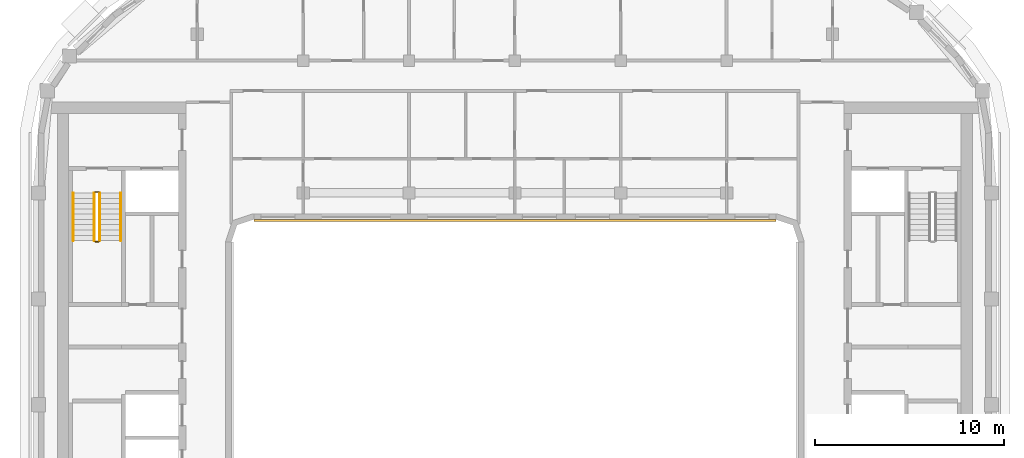
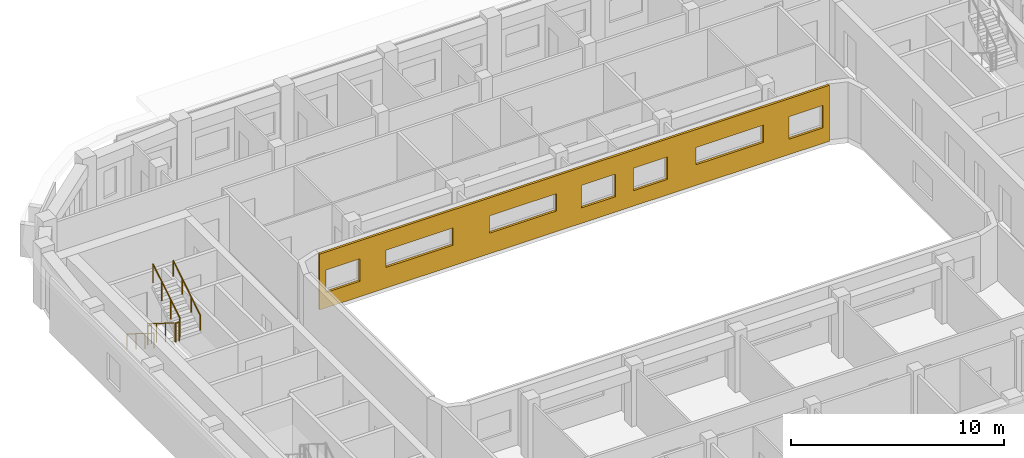
# One storey, part 12 of 16: 6 railings, 1 covering.
"""IFC4 building model written with IfcOpenShell, lengths in metres."""

from ifc_helpers import new_model, si_unit, direction, frame, origin, origin_2d, place, context, subcontext, project, spatial, polyline, circle, outline, extrude, material, layer, layer_set, type_object, element, save


model = new_model("IFC4")

# Units and contexts
model_context = context("Model", 3, precision=1e-05, world=origin(), true_north=direction((0.0, 1.0)))
body_context = subcontext(model_context, "Body", "Model", "MODEL_VIEW")
ifc_project = project(units=[si_unit("LENGTHUNIT", "METRE"), si_unit("AREAUNIT", "SQUARE_METRE"), si_unit("VOLUMEUNIT", "CUBIC_METRE"), si_unit("PLANEANGLEUNIT", "RADIAN"), si_unit("MASSUNIT", "GRAM", prefix="KILO")], contexts=[model_context])

# Site, building, storey
site_placement = place(None, origin())
site = spatial("IfcSite", under=ifc_project, at=site_placement, CompositionType="ELEMENT")
building_placement = place(site_placement, origin())
building = spatial("IfcBuilding", under=site, at=building_placement, Name="Kiln Ring Residences", CompositionType="ELEMENT")
storey_placement = place(building_placement, frame((0.0, 0.0, 276.699951171875)))
storey = spatial("IfcBuildingStorey", under=building, at=storey_placement, Name="L72", CompositionType="ELEMENT", Elevation=276.699951171875)

# Railings
ifc_material_1 = material(Name="Stainless steel", Category="steel")
railing_type_1 = type_object("IfcRailingType", Name="CORE-STAIR-GUARD", PredefinedType="GUARDRAIL", material=ifc_material_1)
railing_1_placement = place(storey_placement, frame((-22.25, 8.39990234375, 0.175048828125)))
element("IfcRailing", 1, at=railing_1_placement, inside=storey, type_object=railing_type_1, Name="L72 W-STN stair guard 1", PredefinedType="GUARDRAIL", context=body_context, shape_type="SweptSolid", body=[
    extrude(circle(Radius=0.02392578125, at=origin_2d()), frame((0.0, 0.0, 1.076171875), z_axis=(0.0, -0.848007534815, 0.529984170421), x_axis=(1.0, 0.0, 0.0)), (0.0, 0.0, 1.0), 2.9716796875),
    extrude(circle(Radius=0.02099609375, at=origin_2d()), origin(), (0.0, 0.0, 1.0), 1.052001953125),
    extrude(circle(Radius=0.02099609375, at=origin_2d()), frame((0.0, -0.840087890625, 0.52490234375)), (0.0, 0.0, 1.0), 1.052001953125),
    extrude(circle(Radius=0.02099609375, at=origin_2d()), frame((0.0, -1.679931640625, 1.050048828125)), (0.0, 0.0, 1.0), 1.052001953125),
    extrude(circle(Radius=0.02099609375, at=origin_2d()), frame((0.0, -2.52001953125, 1.574951171875)), (0.0, 0.0, 1.0), 1.052001953125),
])
railing_2_placement = place(storey_placement, frame((-22.199951171875, 5.830078125, 1.75)))
element("IfcRailing", 2, at=railing_2_placement, inside=storey, type_object=railing_type_1, Name="L72 W-STN stair guard 2", PredefinedType="GUARDRAIL", context=body_context, shape_type="SweptSolid", body=[
    extrude(circle(Radius=0.02392578125, at=origin_2d()), frame((0.0, 0.0, 1.076171875), z_axis=(1.0, 0.0, 0.0), x_axis=(0.0, 1.0, 0.0)), (0.0, 0.0, 1.0), 0.199951171875),
    extrude(circle(Radius=0.02099609375, at=origin_2d()), origin(), (0.0, 0.0, 1.0), 1.052001953125),
    extrude(circle(Radius=0.02099609375, at=origin_2d()), frame((0.199951171875, 0.0, 0.0)), (0.0, 0.0, 1.0), 1.052001953125),
])
railing_3_placement = place(storey_placement, frame((-21.949951171875, 5.8798828125, 1.925048828125)))
element("IfcRailing", 3, at=railing_3_placement, inside=storey, type_object=railing_type_1, Name="L72 W-STN stair guard 3", PredefinedType="GUARDRAIL", context=body_context, shape_type="SweptSolid", body=[
    extrude(circle(Radius=0.02392578125, at=origin_2d()), frame((0.0, 0.0, 1.076171875), z_axis=(0.0, 0.848007534815, 0.529984170421), x_axis=(-1.0, 0.0, 0.0)), (0.0, 0.0, 1.0), 2.9716796875),
    extrude(circle(Radius=0.02099609375, at=origin_2d()), origin(), (0.0, 0.0, 1.0), 1.052001953125),
    extrude(circle(Radius=0.02099609375, at=origin_2d()), frame((0.0, 0.840087890625, 0.52490234375)), (0.0, 0.0, 1.0), 1.052001953125),
    extrude(circle(Radius=0.02099609375, at=origin_2d()), frame((0.0, 1.679931640625, 1.050048828125)), (0.0, 0.0, 1.0), 1.052001953125),
    extrude(circle(Radius=0.02099609375, at=origin_2d()), frame((0.0, 2.52001953125, 1.574951171875)), (0.0, 0.0, 1.0), 1.052001953125),
])
railing_4_placement = place(storey_placement, frame((-22.199951171875, 8.449951171875, 0.0)))
element("IfcRailing", 4, at=railing_4_placement, inside=storey, type_object=railing_type_1, Name="L72 W-STN stair guard 4", PredefinedType="GUARDRAIL", context=body_context, shape_type="SweptSolid", body=[
    extrude(circle(Radius=0.02392578125, at=origin_2d()), frame((0.0, 0.0, 1.076171875), z_axis=(1.0, 0.0, 0.0), x_axis=(0.0, 1.0, 0.0)), (0.0, 0.0, 1.0), 0.199951171875),
    extrude(circle(Radius=0.02099609375, at=origin_2d()), origin(), (0.0, 0.0, 1.0), 1.052001953125),
    extrude(circle(Radius=0.02099609375, at=origin_2d()), frame((0.199951171875, 0.0, 0.0)), (0.0, 0.0, 1.0), 1.052001953125),
])
ifc_material_2 = material(Name="Stainless steel", Category="steel")
railing_type_2 = type_object("IfcRailingType", Name="CORE-STAIR-HANDRAIL", PredefinedType="HANDRAIL", material=ifc_material_2)
railing_5_placement = place(storey_placement, frame((-23.35009765625, 8.39990234375, 0.175048828125)))
element("IfcRailing", 5, at=railing_5_placement, inside=storey, type_object=railing_type_2, Name="L72 W-STN stair handrail 1", PredefinedType="HANDRAIL", context=body_context, shape_type="SweptSolid", body=[
    extrude(circle(Radius=0.02392578125, at=origin_2d()), frame((0.0, 0.0, 0.8759765625), z_axis=(0.0, -0.848007534815, 0.529984170421), x_axis=(1.0, 0.0, 0.0)), (0.0, 0.0, 1.0), 2.9716796875),
    extrude(circle(Radius=0.02099609375, at=origin_2d()), origin(), (0.0, 0.0, 1.0), 0.851806640625),
    extrude(circle(Radius=0.02099609375, at=origin_2d()), frame((0.0, -0.840087890625, 0.52490234375)), (0.0, 0.0, 1.0), 0.851806640625),
    extrude(circle(Radius=0.02099609375, at=origin_2d()), frame((0.0, -1.679931640625, 1.050048828125)), (0.0, 0.0, 1.0), 0.851806640625),
    extrude(circle(Radius=0.02099609375, at=origin_2d()), frame((0.0, -2.52001953125, 1.574951171875)), (0.0, 0.0, 1.0), 0.851806640625),
])
railing_6_placement = place(storey_placement, frame((-20.85009765625, 5.8798828125, 1.925048828125)))
element("IfcRailing", 6, at=railing_6_placement, inside=storey, type_object=railing_type_2, Name="L72 W-STN stair handrail 2", PredefinedType="HANDRAIL", context=body_context, shape_type="SweptSolid", body=[
    extrude(circle(Radius=0.02392578125, at=origin_2d()), frame((0.0, 0.0, 0.8759765625), z_axis=(0.0, 0.848007534815, 0.529984170421), x_axis=(-1.0, 0.0, 0.0)), (0.0, 0.0, 1.0), 2.9716796875),
    extrude(circle(Radius=0.02099609375, at=origin_2d()), origin(), (0.0, 0.0, 1.0), 0.851806640625),
    extrude(circle(Radius=0.02099609375, at=origin_2d()), frame((0.0, 0.840087890625, 0.52490234375)), (0.0, 0.0, 1.0), 0.851806640625),
    extrude(circle(Radius=0.02099609375, at=origin_2d()), frame((0.0, 1.679931640625, 1.050048828125)), (0.0, 0.0, 1.0), 0.851806640625),
    extrude(circle(Radius=0.02099609375, at=origin_2d()), frame((0.0, 2.52001953125, 1.574951171875)), (0.0, 0.0, 1.0), 0.851806640625),
])

# Covering
ifc_material_3 = material(Name="Brick masonry, dark clay brick", Category="masonry")
ifc_layer = layer(ifc_material_3, 0.1201171875)
ifc_layer_set = layer_set([ifc_layer], Name="RAINSCREEN PANEL 120")
covering_type = type_object("IfcCoveringType", Name="RAINSCREEN PANEL 120", PredefinedType="CLADDING", material=ifc_layer_set)
covering_placement = place(storey_placement, frame((-13.800048828125, 6.93994140625, 0.0), z_axis=(0.0, 0.0, 1.0), x_axis=(1.0, 0.0, 0.0)))
element("IfcCovering", 7, at=covering_placement, inside=storey, type_object=covering_type, Name="RAINSCREEN L72", PredefinedType="CLADDING", context=body_context, shape_type="SweptSolid", body=[
    extrude(outline(polyline([(0.0, 0.0), (27.60009765625, 0.0), (27.60009765625, 3.199951171875), (0.0, 3.199951171875), (0.0, 0.0)]), holes=[polyline([(2.1826171875, 0.880126953125), (2.1826171875, 2.170166015625), (0.342529296875, 2.170166015625), (0.342529296875, 0.880126953125), (2.1826171875, 0.880126953125)]), polyline([(14.179931640625, 0.880126953125), (16.02001953125, 0.880126953125), (16.02001953125, 2.170166015625), (14.179931640625, 2.170166015625), (14.179931640625, 0.880126953125)]), polyline([(16.97998046875, 0.880126953125), (18.820068359375, 0.880126953125), (18.820068359375, 2.170166015625), (16.97998046875, 2.170166015625), (16.97998046875, 0.880126953125)]), polyline([(25.41748046875, 0.880126953125), (27.257568359375, 0.880126953125), (27.257568359375, 2.170166015625), (25.41748046875, 2.170166015625), (25.41748046875, 0.880126953125)]), polyline([(3.580078125, 1.179931640625), (7.219970703125, 1.179931640625), (7.219970703125, 2.170166015625), (3.580078125, 2.170166015625), (3.580078125, 1.179931640625)]), polyline([(9.179931640625, 1.179931640625), (12.820068359375, 1.179931640625), (12.820068359375, 2.170166015625), (9.179931640625, 2.170166015625), (9.179931640625, 1.179931640625)]), polyline([(20.3798828125, 1.179931640625), (24.02001953125, 1.179931640625), (24.02001953125, 2.170166015625), (20.3798828125, 2.170166015625), (20.3798828125, 1.179931640625)])]), frame((0.0, 0.06005859375, 0.0), z_axis=(0.0, -1.0, 0.0), x_axis=(1.0, 0.0, 0.0)), (0.0, 0.0, 1.0), 0.1201171875),
])

save(model, "model.ifc")
